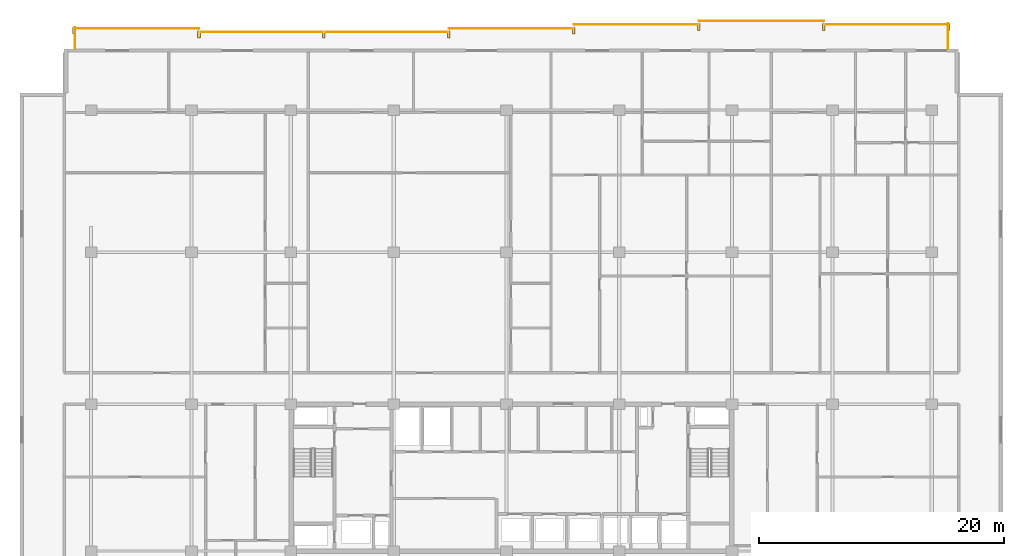
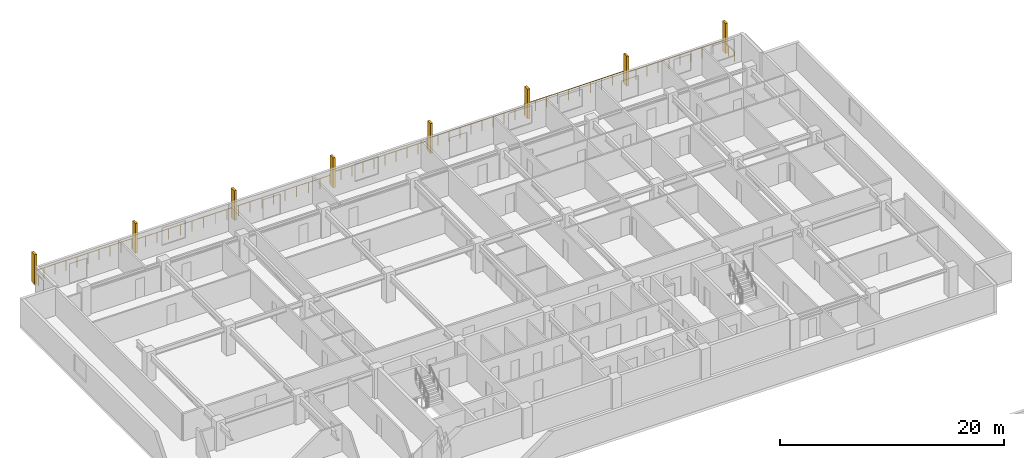
# One storey, part 21 of 21: 8 railings, 8 shading devices.
"""IFC4 building model written with IfcOpenShell, lengths in metres."""

import ifcopenshell
import ifcopenshell.guid

model = None  # the IFC model being written
_history = None  # IfcOwnerHistory: only IFC2X3 demands one
_inside = {}  # id of a spatial element -> (the spatial element, [elements in it])
_under = {}  # id of a project, library or spatial element -> (it, [spatial elements below it])
_declared = {}  # id of a project -> (the project, [libraries it declares])
_typed = {}  # id of a type object -> (the type object, [elements of that type])
_made_of = {}  # id of a material, layer set ... -> (it, [elements and type objects made of it])


def new_model(schema):
    """Start an empty IFC model of exactly this schema.

    Asked for "IFC4X3", IfcOpenShell would pick the latest addendum, in which some entities
    have other attributes; the version numbers below select the first issue.
    IFC2X3 requires an IfcOwnerHistory on every rooted entity: one is made here for all.
    """
    global model, _history
    if schema == "IFC4X3":
        model = ifcopenshell.file(schema_version=(4, 3, 0, 0))
    else:
        model = ifcopenshell.file(schema=schema)
    _inside.clear()
    _under.clear()
    _declared.clear()
    _typed.clear()
    _made_of.clear()
    _history = None
    if model.schema == "IFC2X3":
        org = make("IfcOrganization", Name="unknown")
        user = make(
            "IfcPersonAndOrganization",
            ThePerson=make("IfcPerson", FamilyName="unknown"),
            TheOrganization=org,
        )
        app = make(
            "IfcApplication",
            ApplicationDeveloper=org,
            Version="unknown",
            ApplicationFullName="unknown",
            ApplicationIdentifier="unknown",
        )
        _history = make(
            "IfcOwnerHistory",
            OwningUser=user,
            OwningApplication=app,
            ChangeAction="ADDED",
            CreationDate=0,
        )
    return model


def make(cls, **values):
    """One entity of the class cls with the attributes given. An attribute that is None is left unset."""
    return model.create_entity(
        cls, **{name: value for name, value in values.items() if value is not None}
    )


def rooted(cls, **values):
    """An entity with a GlobalId (a new one), such as an element, a storey or a relation."""
    return make(cls, GlobalId=ifcopenshell.guid.new(), OwnerHistory=_history, **values)


def si_unit(unit_type, name, prefix=None):
    """IfcSIUnit, for example si_unit("LENGTHUNIT", "METRE", prefix="MILLI")."""
    return make("IfcSIUnit", UnitType=unit_type, Prefix=prefix, Name=name)


def assignment(units):
    """IfcUnitAssignment: the units of a project."""
    return None if units is None else make("IfcUnitAssignment", Units=units)


def point(xyz):
    """IfcCartesianPoint."""
    return None if xyz is None else make("IfcCartesianPoint", Coordinates=xyz)


def direction(xyz):
    """IfcDirection."""
    return None if xyz is None else make("IfcDirection", DirectionRatios=xyz)


def frame(location, z_axis=None, x_axis=None):
    """IfcAxis2Placement3D, a coordinate frame: its origin and axes. An axis left out is left unset."""
    return make(
        "IfcAxis2Placement3D",
        Location=point(location),
        Axis=direction(z_axis),
        RefDirection=direction(x_axis),
    )


def frame_2d(location, x_axis=None):
    """IfcAxis2Placement2D, a coordinate frame in the plane: its origin and x axis."""
    return make(
        "IfcAxis2Placement2D", Location=point(location), RefDirection=direction(x_axis)
    )


def origin():
    """The frame at (0, 0, 0) with its axes left unset."""
    return frame((0.0, 0.0, 0.0))


def origin_2d():
    """The frame at (0, 0) in the plane with its x axis left unset."""
    return frame_2d((0.0, 0.0))


def place(relative_to, where):
    """IfcLocalPlacement: puts the frame where relative to a parent placement (None: the world)."""
    return make(
        "IfcLocalPlacement", PlacementRelTo=relative_to, RelativePlacement=where
    )


def context(
    kind, dimensions, precision=None, world=None, true_north=None, identifier=None
):
    """IfcGeometricRepresentationContext, for example the 3D "Model" context."""
    return make(
        "IfcGeometricRepresentationContext",
        ContextIdentifier=identifier,
        ContextType=kind,
        CoordinateSpaceDimension=dimensions,
        Precision=precision,
        WorldCoordinateSystem=world,
        TrueNorth=true_north,
    )


def subcontext(parent, identifier, kind, view, scale=None):
    """IfcGeometricRepresentationSubContext, for example "Body" below "Model"."""
    return make(
        "IfcGeometricRepresentationSubContext",
        ContextIdentifier=identifier,
        ContextType=kind,
        ParentContext=parent,
        TargetScale=scale,
        TargetView=view,
    )


def project(units=None, contexts=None):
    """IfcProject with its units and contexts."""
    return rooted(
        "IfcProject",
        Name="project",
        RepresentationContexts=contexts,
        UnitsInContext=assignment(units),
    )


def spatial(cls, under=None, at=None, **own):
    """A site, building, storey or space (cls), placed at a placement, below another one or the project."""
    s = rooted(cls, ObjectPlacement=at, **own)
    if under is not None:
        _under.setdefault(under.id(), (under, []))[1].append(s)
    return s


def profile(cls, at=None, kind="AREA", **sizes):
    """A parametric profile (cls). Its sizes go by their IFC names, for example OverallWidth=200.0."""
    return make(cls, ProfileType=kind, Position=at, **sizes)


def rectangle(**sizes):
    """IfcRectangleProfileDef."""
    return profile("IfcRectangleProfileDef", **sizes)


def circle(**sizes):
    """IfcCircleProfileDef."""
    return profile("IfcCircleProfileDef", **sizes)


def extrude(swept, where, along, depth):
    """IfcExtrudedAreaSolid: the profile swept, set in the frame where, extruded along a direction by depth."""
    return make(
        "IfcExtrudedAreaSolid",
        SweptArea=swept,
        Position=where,
        ExtrudedDirection=direction(along),
        Depth=depth,
    )


def shape(context_of_items, identifier, shape_type, items):
    """IfcShapeRepresentation: the items that make up one representation, for example the "Body"."""
    return make(
        "IfcShapeRepresentation",
        ContextOfItems=context_of_items,
        RepresentationIdentifier=identifier,
        RepresentationType=shape_type,
        Items=items,
    )


def material(Name=None, Category=None):
    """IfcMaterial."""
    return make("IfcMaterial", Name=Name, Category=Category)


def made_of(thing, what):
    """Note that an element or type object is made of a material, layer set ...; save() writes the relation."""
    if what is not None:
        _made_of.setdefault(what.id(), (what, []))[1].append(thing)
    return thing


def type_object(cls, material=None, **own):
    """A type object (cls), such as IfcWallType, which elements share."""
    return made_of(rooted(cls, **own), material)


def element(
    cls,
    number,
    at=None,
    inside=None,
    cuts=None,
    type_object=None,
    material=None,
    context=None,
    identifier="Body",
    shape_type=None,
    held_by="IfcProductDefinitionShape",
    body=None,
    shapes=None,
    **own,
):
    """One element of the class cls, such as IfcWall. Its Tag is "e" and its number.

    at: its placement. inside: the storey or other place that contains it. cuts: it is an
    opening in that element (IfcRelVoidsElement). A single representation is given by context,
    identifier, shape_type and body (its items); several are given by shapes. held_by: the class
    of the entity that holds the representations. save() writes the other relations.
    """
    e = rooted(cls, Tag="e%d" % number, ObjectPlacement=at, **own)
    if body is not None:
        shapes = [shape(context, identifier, shape_type, body)]
    if shapes is not None:
        e.Representation = make(held_by, Representations=shapes)
    if inside is not None:
        _inside.setdefault(inside.id(), (inside, []))[1].append(e)
    if cuts is not None:
        rooted(
            "IfcRelVoidsElement", RelatingBuildingElement=cuts, RelatedOpeningElement=e
        )
    if type_object is not None:
        _typed.setdefault(type_object.id(), (type_object, []))[1].append(e)
    return made_of(e, material)


def aggregate(whole, parts):
    """IfcRelAggregates: a whole, such as a stair, and the parts it consists of."""
    return rooted("IfcRelAggregates", RelatingObject=whole, RelatedObjects=parts)


def save(model, path):
    """Write the relations noted so far, then the file.

    IfcRelAggregates (storeys below a building ...), IfcRelContainedInSpatialStructure (elements
    in a storey), IfcRelDefinesByType, IfcRelAssociatesMaterial and IfcRelDeclares: one each for
    every whole, place, type object, material and project.
    """
    for whole, parts in _under.values():
        aggregate(whole, parts)
    for where, things in _inside.values():
        rooted(
            "IfcRelContainedInSpatialStructure",
            RelatedElements=things,
            RelatingStructure=where,
        )
    for kind, things in _typed.values():
        rooted("IfcRelDefinesByType", RelatedObjects=things, RelatingType=kind)
    for what, things in _made_of.values():
        rooted("IfcRelAssociatesMaterial", RelatedObjects=things, RelatingMaterial=what)
    for by, libraries in _declared.values():
        rooted("IfcRelDeclares", RelatingContext=by, RelatedDefinitions=libraries)
    model.write(path)


model = new_model("IFC4")

# Units and contexts
model_context = context("Model", 3, precision=1e-05, world=origin(), true_north=direction((0.0, 1.0)))
body_context = subcontext(model_context, "Body", "Model", "MODEL_VIEW")
ifc_project = project(units=[si_unit("LENGTHUNIT", "METRE"), si_unit("AREAUNIT", "SQUARE_METRE"), si_unit("VOLUMEUNIT", "CUBIC_METRE"), si_unit("PLANEANGLEUNIT", "RADIAN"), si_unit("MASSUNIT", "GRAM", prefix="KILO")], contexts=[model_context])

# Site, building, storey
site_placement = place(None, origin())
site = spatial("IfcSite", under=ifc_project, at=site_placement, CompositionType="ELEMENT")
building_placement = place(site_placement, origin())
building = spatial("IfcBuilding", under=site, at=building_placement, Name="Korimba Cascade Residences", CompositionType="ELEMENT")
storey_placement = place(building_placement, frame((0.0, 0.0, 119.800048828125)))
storey = spatial("IfcBuildingStorey", under=building, at=storey_placement, Name="L34", CompositionType="ELEMENT", Elevation=119.800048828125)

# Railings
ifc_material_1 = material(Name="Laminated Glass and Bronze Balustrade", Category="glass")
railing_type = type_object("IfcRailingType", Name="RLG-LOG-1150", PredefinedType="BALUSTRADE", material=ifc_material_1)
railing_1_placement = place(storey_placement, frame((129.719970703125, 96.199951171875, 0.0)))
element("IfcRailing", 1, at=railing_1_placement, inside=storey, type_object=railing_type, Name="L34 Perimeter Guardrail RLG-L34-T1-LOG-01", PredefinedType="BALUSTRADE", context=body_context, shape_type="SweptSolid", body=[
    extrude(circle(Radius=0.02392578125, at=origin_2d()), frame((0.0, 0.0, 1.1259765625), z_axis=(0.0, 1.0, 0.0), x_axis=(-1.0, 0.0, 0.0)), (0.0, 0.0, 1.0), 2.050048828125),
    extrude(circle(Radius=0.02099609375, at=origin_2d()), origin(), (0.0, 0.0, 1.0), 1.101806640625),
    extrude(circle(Radius=0.02099609375, at=origin_2d()), frame((0.0, 1.02490234375, 0.0)), (0.0, 0.0, 1.0), 1.101806640625),
    extrude(circle(Radius=0.02099609375, at=origin_2d()), frame((0.0, 2.050048828125, 0.0)), (0.0, 0.0, 1.0), 1.101806640625),
])
railing_2_placement = place(storey_placement, frame((129.800048828125, 98.169921875, 0.0)))
element("IfcRailing", 2, at=railing_2_placement, inside=storey, type_object=railing_type, Name="L34 Perimeter Guardrail RLG-L34-T1-LOG-02", PredefinedType="BALUSTRADE", context=body_context, shape_type="SweptSolid", body=[
    extrude(circle(Radius=0.02392578125, at=origin_2d()), frame((0.0, 0.0, 1.1259765625), z_axis=(-1.0, 0.0, 0.0), x_axis=(0.0, -1.0, 0.0)), (0.0, 0.0, 1.0), 10.199951171875),
    extrude(circle(Radius=0.02099609375, at=origin_2d()), origin(), (0.0, 0.0, 1.0), 1.101806640625),
    extrude(circle(Radius=0.02099609375, at=origin_2d()), frame((-1.13330078125, 0.0, 0.0)), (0.0, 0.0, 1.0), 1.101806640625),
    extrude(circle(Radius=0.02099609375, at=origin_2d()), frame((-2.2666015625, 0.0, 0.0)), (0.0, 0.0, 1.0), 1.101806640625),
    extrude(circle(Radius=0.02099609375, at=origin_2d()), frame((-3.39990234375, 0.0, 0.0)), (0.0, 0.0, 1.0), 1.101806640625),
    extrude(circle(Radius=0.02099609375, at=origin_2d()), frame((-4.533203125, 0.0, 0.0)), (0.0, 0.0, 1.0), 1.101806640625),
    extrude(circle(Radius=0.02099609375, at=origin_2d()), frame((-5.666748046875, 0.0, 0.0)), (0.0, 0.0, 1.0), 1.101806640625),
    extrude(circle(Radius=0.02099609375, at=origin_2d()), frame((-6.800048828125, 0.0, 0.0)), (0.0, 0.0, 1.0), 1.101806640625),
    extrude(circle(Radius=0.02099609375, at=origin_2d()), frame((-7.933349609375, 0.0, 0.0)), (0.0, 0.0, 1.0), 1.101806640625),
    extrude(circle(Radius=0.02099609375, at=origin_2d()), frame((-9.066650390625, 0.0, 0.0)), (0.0, 0.0, 1.0), 1.101806640625),
    extrude(circle(Radius=0.02099609375, at=origin_2d()), frame((-10.199951171875, 0.0, 0.0)), (0.0, 0.0, 1.0), 1.101806640625),
])
railing_3_placement = place(storey_placement, frame((119.60009765625, 98.469970703125, 0.0)))
element("IfcRailing", 3, at=railing_3_placement, inside=storey, type_object=railing_type, Name="L34 Perimeter Guardrail RLG-L34-T1-LOG-03", PredefinedType="BALUSTRADE", context=body_context, shape_type="SweptSolid", body=[
    extrude(circle(Radius=0.02392578125, at=origin_2d()), frame((0.0, 0.0, 1.1259765625), z_axis=(-1.0, 0.0, 0.0), x_axis=(0.0, -1.0, 0.0)), (0.0, 0.0, 1.0), 10.2001953125),
    extrude(circle(Radius=0.02099609375, at=origin_2d()), origin(), (0.0, 0.0, 1.0), 1.101806640625),
    extrude(circle(Radius=0.02099609375, at=origin_2d()), frame((-1.13330078125, 0.0, 0.0)), (0.0, 0.0, 1.0), 1.101806640625),
    extrude(circle(Radius=0.02099609375, at=origin_2d()), frame((-2.2666015625, 0.0, 0.0)), (0.0, 0.0, 1.0), 1.101806640625),
    extrude(circle(Radius=0.02099609375, at=origin_2d()), frame((-3.400146484375, 0.0, 0.0)), (0.0, 0.0, 1.0), 1.101806640625),
    extrude(circle(Radius=0.02099609375, at=origin_2d()), frame((-4.533447265625, 0.0, 0.0)), (0.0, 0.0, 1.0), 1.101806640625),
    extrude(circle(Radius=0.02099609375, at=origin_2d()), frame((-5.666748046875, 0.0, 0.0)), (0.0, 0.0, 1.0), 1.101806640625),
    extrude(circle(Radius=0.02099609375, at=origin_2d()), frame((-6.800048828125, 0.0, 0.0)), (0.0, 0.0, 1.0), 1.101806640625),
    extrude(circle(Radius=0.02099609375, at=origin_2d()), frame((-7.93359375, 0.0, 0.0)), (0.0, 0.0, 1.0), 1.101806640625),
    extrude(circle(Radius=0.02099609375, at=origin_2d()), frame((-9.06689453125, 0.0, 0.0)), (0.0, 0.0, 1.0), 1.101806640625),
    extrude(circle(Radius=0.02099609375, at=origin_2d()), frame((-10.2001953125, 0.0, 0.0)), (0.0, 0.0, 1.0), 1.101806640625),
])
for number, where, name in (
    (4, (109.39990234375, 98.169921875, 0.0), "L34 Perimeter Guardrail RLG-L34-T1-LOG-04"),
    (5, (99.199951171875, 97.8701171875, 0.0), "L34 Perimeter Guardrail RLG-L34-T1-LOG-05"),
):
    element("IfcRailing", number, at=place(storey_placement, frame(where)), inside=storey, type_object=railing_type, Name=name, PredefinedType="BALUSTRADE", context=body_context, shape_type="SweptSolid", body=[
        extrude(circle(Radius=0.02392578125, at=origin_2d()), frame((0.0, 0.0, 1.1259765625), z_axis=(-1.0, 0.0, 0.0), x_axis=(0.0, -1.0, 0.0)), (0.0, 0.0, 1.0), 10.199951171875),
        extrude(circle(Radius=0.02099609375, at=origin_2d()), origin(), (0.0, 0.0, 1.0), 1.101806640625),
        extrude(circle(Radius=0.02099609375, at=origin_2d()), frame((-1.13330078125, 0.0, 0.0)), (0.0, 0.0, 1.0), 1.101806640625),
        extrude(circle(Radius=0.02099609375, at=origin_2d()), frame((-2.2666015625, 0.0, 0.0)), (0.0, 0.0, 1.0), 1.101806640625),
        extrude(circle(Radius=0.02099609375, at=origin_2d()), frame((-3.39990234375, 0.0, 0.0)), (0.0, 0.0, 1.0), 1.101806640625),
        extrude(circle(Radius=0.02099609375, at=origin_2d()), frame((-4.533203125, 0.0, 0.0)), (0.0, 0.0, 1.0), 1.101806640625),
        extrude(circle(Radius=0.02099609375, at=origin_2d()), frame((-5.666748046875, 0.0, 0.0)), (0.0, 0.0, 1.0), 1.101806640625),
        extrude(circle(Radius=0.02099609375, at=origin_2d()), frame((-6.800048828125, 0.0, 0.0)), (0.0, 0.0, 1.0), 1.101806640625),
        extrude(circle(Radius=0.02099609375, at=origin_2d()), frame((-7.933349609375, 0.0, 0.0)), (0.0, 0.0, 1.0), 1.101806640625),
        extrude(circle(Radius=0.02099609375, at=origin_2d()), frame((-9.066650390625, 0.0, 0.0)), (0.0, 0.0, 1.0), 1.101806640625),
        extrude(circle(Radius=0.02099609375, at=origin_2d()), frame((-10.199951171875, 0.0, 0.0)), (0.0, 0.0, 1.0), 1.101806640625),
    ])
railing_4_placement = place(storey_placement, frame((89.0, 97.570068359375, 0.0)))
element("IfcRailing", 6, at=railing_4_placement, inside=storey, type_object=railing_type, Name="L34 Perimeter Guardrail RLG-L34-T1-LOG-06", PredefinedType="BALUSTRADE", context=body_context, shape_type="SweptSolid", body=[
    extrude(circle(Radius=0.02392578125, at=origin_2d()), frame((0.0, 0.0, 1.1259765625), z_axis=(-1.0, 0.0, 0.0), x_axis=(0.0, -1.0, 0.0)), (0.0, 0.0, 1.0), 20.39990234375),
    extrude(circle(Radius=0.02099609375, at=origin_2d()), origin(), (0.0, 0.0, 1.0), 1.101806640625),
    extrude(circle(Radius=0.02099609375, at=origin_2d()), frame((-1.199951171875, 0.0, 0.0)), (0.0, 0.0, 1.0), 1.101806640625),
    extrude(circle(Radius=0.02099609375, at=origin_2d()), frame((-2.39990234375, 0.0, 0.0)), (0.0, 0.0, 1.0), 1.101806640625),
    extrude(circle(Radius=0.02099609375, at=origin_2d()), frame((-3.60009765625, 0.0, 0.0)), (0.0, 0.0, 1.0), 1.101806640625),
    extrude(circle(Radius=0.02099609375, at=origin_2d()), frame((-4.800048828125, 0.0, 0.0)), (0.0, 0.0, 1.0), 1.101806640625),
    extrude(circle(Radius=0.02099609375, at=origin_2d()), frame((-6.0, 0.0, 0.0)), (0.0, 0.0, 1.0), 1.101806640625),
    extrude(circle(Radius=0.02099609375, at=origin_2d()), frame((-7.199951171875, 0.0, 0.0)), (0.0, 0.0, 1.0), 1.101806640625),
    extrude(circle(Radius=0.02099609375, at=origin_2d()), frame((-8.39990234375, 0.0, 0.0)), (0.0, 0.0, 1.0), 1.101806640625),
    extrude(circle(Radius=0.02099609375, at=origin_2d()), frame((-9.599853515625, 0.0, 0.0)), (0.0, 0.0, 1.0), 1.101806640625),
    extrude(circle(Radius=0.02099609375, at=origin_2d()), frame((-10.800048828125, 0.0, 0.0)), (0.0, 0.0, 1.0), 1.101806640625),
    extrude(circle(Radius=0.02099609375, at=origin_2d()), frame((-12.0, 0.0, 0.0)), (0.0, 0.0, 1.0), 1.101806640625),
    extrude(circle(Radius=0.02099609375, at=origin_2d()), frame((-13.199951171875, 0.0, 0.0)), (0.0, 0.0, 1.0), 1.101806640625),
    extrude(circle(Radius=0.02099609375, at=origin_2d()), frame((-14.39990234375, 0.0, 0.0)), (0.0, 0.0, 1.0), 1.101806640625),
    extrude(circle(Radius=0.02099609375, at=origin_2d()), frame((-15.599853515625, 0.0, 0.0)), (0.0, 0.0, 1.0), 1.101806640625),
    extrude(circle(Radius=0.02099609375, at=origin_2d()), frame((-16.7998046875, 0.0, 0.0)), (0.0, 0.0, 1.0), 1.101806640625),
    extrude(circle(Radius=0.02099609375, at=origin_2d()), frame((-18.0, 0.0, 0.0)), (0.0, 0.0, 1.0), 1.101806640625),
    extrude(circle(Radius=0.02099609375, at=origin_2d()), frame((-19.199951171875, 0.0, 0.0)), (0.0, 0.0, 1.0), 1.101806640625),
    extrude(circle(Radius=0.02099609375, at=origin_2d()), frame((-20.39990234375, 0.0, 0.0)), (0.0, 0.0, 1.0), 1.101806640625),
])
railing_5_placement = place(storey_placement, frame((68.60009765625, 97.8701171875, 0.0)))
element("IfcRailing", 7, at=railing_5_placement, inside=storey, type_object=railing_type, Name="L34 Perimeter Guardrail RLG-L34-T1-LOG-07", PredefinedType="BALUSTRADE", context=body_context, shape_type="SweptSolid", body=[
    extrude(circle(Radius=0.02392578125, at=origin_2d()), frame((0.0, 0.0, 1.1259765625), z_axis=(-1.0, 0.0, 0.0), x_axis=(0.0, -1.0, 0.0)), (0.0, 0.0, 1.0), 10.2001953125),
    extrude(circle(Radius=0.02099609375, at=origin_2d()), origin(), (0.0, 0.0, 1.0), 1.101806640625),
    extrude(circle(Radius=0.02099609375, at=origin_2d()), frame((-1.13330078125, 0.0, 0.0)), (0.0, 0.0, 1.0), 1.101806640625),
    extrude(circle(Radius=0.02099609375, at=origin_2d()), frame((-2.2666015625, 0.0, 0.0)), (0.0, 0.0, 1.0), 1.101806640625),
    extrude(circle(Radius=0.02099609375, at=origin_2d()), frame((-3.400146484375, 0.0, 0.0)), (0.0, 0.0, 1.0), 1.101806640625),
    extrude(circle(Radius=0.02099609375, at=origin_2d()), frame((-4.533447265625, 0.0, 0.0)), (0.0, 0.0, 1.0), 1.101806640625),
    extrude(circle(Radius=0.02099609375, at=origin_2d()), frame((-5.666748046875, 0.0, 0.0)), (0.0, 0.0, 1.0), 1.101806640625),
    extrude(circle(Radius=0.02099609375, at=origin_2d()), frame((-6.800048828125, 0.0, 0.0)), (0.0, 0.0, 1.0), 1.101806640625),
    extrude(circle(Radius=0.02099609375, at=origin_2d()), frame((-7.93359375, 0.0, 0.0)), (0.0, 0.0, 1.0), 1.101806640625),
    extrude(circle(Radius=0.02099609375, at=origin_2d()), frame((-9.06689453125, 0.0, 0.0)), (0.0, 0.0, 1.0), 1.101806640625),
    extrude(circle(Radius=0.02099609375, at=origin_2d()), frame((-10.2001953125, 0.0, 0.0)), (0.0, 0.0, 1.0), 1.101806640625),
])
railing_6_placement = place(storey_placement, frame((58.47998046875, 97.949951171875, 0.0)))
element("IfcRailing", 8, at=railing_6_placement, inside=storey, type_object=railing_type, Name="L34 Perimeter Guardrail RLG-L34-T1-LOG-08", PredefinedType="BALUSTRADE", context=body_context, shape_type="SweptSolid", body=[
    extrude(circle(Radius=0.02392578125, at=origin_2d()), frame((0.0, 0.0, 1.1259765625), z_axis=(0.0, -1.0, 0.0), x_axis=(1.0, 0.0, 0.0)), (0.0, 0.0, 1.0), 1.75),
    extrude(circle(Radius=0.02099609375, at=origin_2d()), origin(), (0.0, 0.0, 1.0), 1.101806640625),
    extrude(circle(Radius=0.02099609375, at=origin_2d()), frame((0.0, -0.875, 0.0)), (0.0, 0.0, 1.0), 1.101806640625),
    extrude(circle(Radius=0.02099609375, at=origin_2d()), frame((0.0, -1.75, 0.0)), (0.0, 0.0, 1.0), 1.101806640625),
])

# Shading devices
ifc_material_2 = material(Name="Honed Sandstone Precast Fin", Category="masonry")
shading_device_type = type_object("IfcShadingDeviceType", Name="SHD-FIN-550", PredefinedType="USERDEFINED", material=ifc_material_2)
for number, where, z_axis, x_axis, name in (
    (9, (58.39990234375, 97.675048828125, 0.0), (0.0, 0.0, 1.0), (1.0, 0.0, 0.0), "L34 T1 Warm-Stone Loggia Fin 1"),
    (10, (68.60009765625, 97.375, 0.0), (0.0, 0.0, 1.0), (1.0, 0.0, 0.0), "L34 T1 Warm-Stone Loggia Fin 2"),
    (11, (78.800048828125, 97.375, 0.0), (0.0, 0.0, 1.0), (1.0, 0.0, 0.0), "L34 T1 Warm-Stone Loggia Fin 3"),
    (12, (89.0, 97.375, 0.0), (0.0, 0.0, 1.0), (1.0, 0.0, 0.0), "L34 T1 Warm-Stone Loggia Fin 4"),
    (13, (99.199951171875, 97.675048828125, 0.0), (0.0, 0.0, 1.0), (1.0, 0.0, 0.0), "L34 T1 Warm-Stone Loggia Fin 5"),
    (14, (109.39990234375, 97.97509765625, 0.0), (0.0, 0.0, 1.0), (1.0, 0.0, 0.0), "L34 T1 Warm-Stone Loggia Fin 6"),
    (15, (119.60009765625, 97.97509765625, 0.0), (0.0, 0.0, 1.0), (1.0, 0.0, 0.0), "L34 T1 Warm-Stone Loggia Fin 7"),
    (16, (129.800048828125, 97.97509765625, 0.0), (0.0, 0.0, 1.0), (1.0, 0.0, 0.0), "L34 T1 Warm-Stone Loggia Fin 8"),
):
    element("IfcShadingDevice", number, at=place(storey_placement, frame(where, z_axis=z_axis, x_axis=x_axis)), inside=storey, type_object=shading_device_type, Name=name, ObjectType="FIN", PredefinedType="USERDEFINED", context=body_context, shape_type="SweptSolid", body=[
        extrude(rectangle(XDim=0.219970703125, YDim=0.550048828125, at=origin_2d()), origin(), (0.0, 0.0, 1.0), 3.25),
    ])

save(model, "model.ifc")
